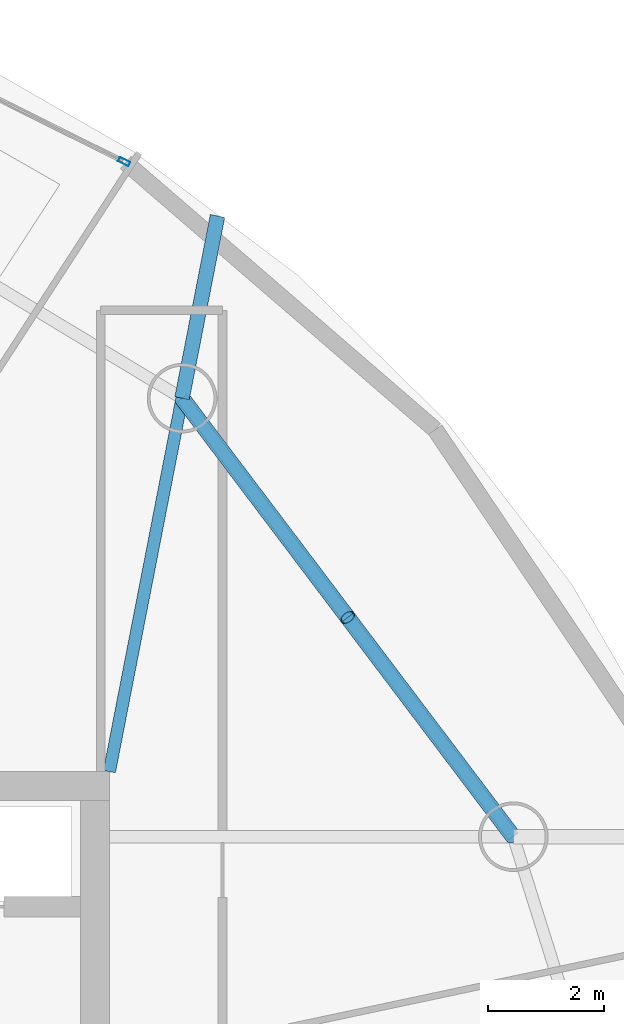
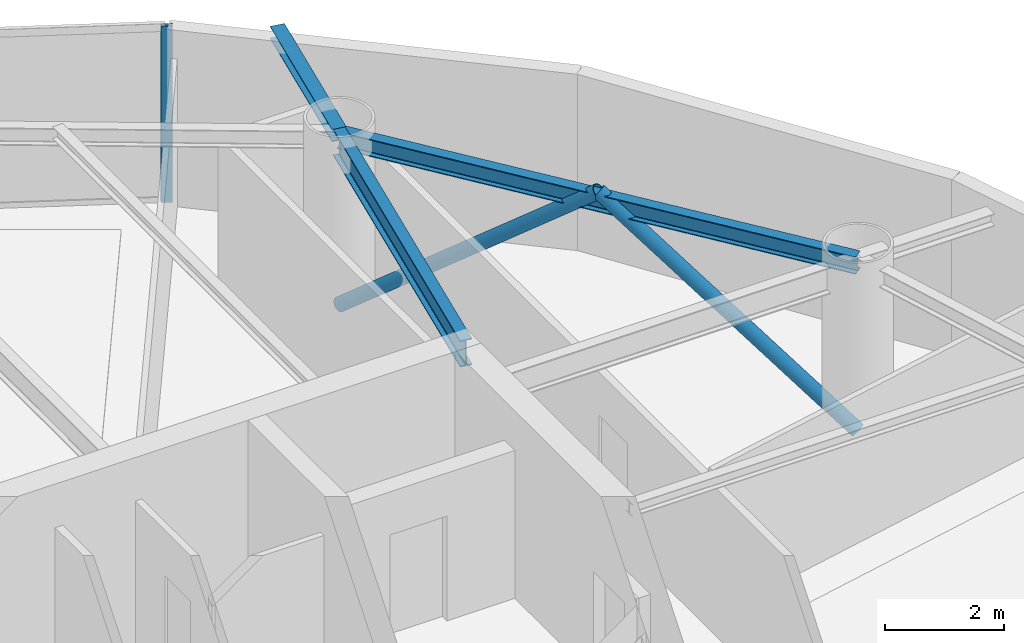
# One storey, part 14 of 22: 3 beams, 3 members, 1 element without a shape of its own.
"""IFC4 building model written with IfcOpenShell, lengths in metres."""

from ifc_helpers import new_model, si_unit, direction, frame, origin, origin_2d, place, context, subcontext, project, spatial, hollow_rectangle, hollow_circle, i_section, extrude, material, layer, layer_set, material_profile, profile_set, type_object, element, aggregate, save


model = new_model("IFC4")

# Units and contexts
model_context = context("Model", 3, precision=1e-05, world=origin(), true_north=direction((0.0, 1.0)))
body_context = subcontext(model_context, "Body", "Model", "MODEL_VIEW")
ifc_project = project(units=[si_unit("LENGTHUNIT", "METRE"), si_unit("AREAUNIT", "SQUARE_METRE"), si_unit("VOLUMEUNIT", "CUBIC_METRE"), si_unit("PLANEANGLEUNIT", "RADIAN"), si_unit("MASSUNIT", "GRAM", prefix="KILO")], contexts=[model_context])

# Site, building, storey
site_placement = place(None, origin())
site = spatial("IfcSite", under=ifc_project, at=site_placement, CompositionType="ELEMENT")
building_placement = place(site_placement, origin())
building = spatial("IfcBuilding", under=site, at=building_placement, Name="Bramvorn Convention Spire", CompositionType="ELEMENT")
storey_placement = place(building_placement, frame((0.0, 0.0, 225.10009765625)))
storey = spatial("IfcBuildingStorey", under=building, at=storey_placement, Name="L57", CompositionType="ELEMENT", Elevation=225.10009765625)

# Beams
ifc_material_1 = material(Name="Steel CSA G40.21 Grade 350 (350W)", Category="steel")
ifc_material_profile_1 = material_profile(ifc_material_1, i_section(OverallWidth=0.25390625, OverallDepth=0.2529296875, WebThickness=0.008544921875, FlangeThickness=0.01416015625, FilletRadius=0.011962890625, at=origin_2d()))
ifc_profile_set_1 = profile_set([ifc_material_profile_1], Name="Steel CSA G40.21 Grade 350 (350W) - W250X73")
beam_type_1 = type_object("IfcBeamType", Name="BM-W250X73", PredefinedType="BEAM", material=ifc_profile_set_1)
beam_1_placement = place(storey_placement, frame((50.501953125, 39.885009765625, 3.493408203125), z_axis=(0.190977895588, 0.981594337492, 0.0), x_axis=(-0.981594337492, 0.190977895588, 0.0)))
element("IfcBeam", 1, at=beam_1_placement, inside=storey, type_object=beam_type_1, Name="L57 slab-edge cantilever tip beam MC05", PredefinedType="BEAM", context=body_context, shape_type="SweptSolid", body=[
    extrude(i_section(OverallWidth=0.25390625, OverallDepth=0.2529296875, WebThickness=0.008544921875, FlangeThickness=0.01416015625, FilletRadius=0.011962890625, at=origin_2d()), origin(), (0.0, 0.0, 1.0), 3.19970703125),
])
ifc_material_profile_2 = material_profile(ifc_material_1, i_section(OverallWidth=0.205078125, OverallDepth=0.35400390625, WebThickness=0.009521484375, FlangeThickness=0.016845703125, FilletRadius=0.014892578125, at=origin_2d()))
ifc_profile_set_2 = profile_set([ifc_material_profile_2], Name="Steel CSA G40.21 Grade 350 (350W) - W360X79")
beam_type_2 = type_object("IfcBeamType", Name="BM-W360X79", PredefinedType="JOIST", material=ifc_profile_set_2)
beam_2_placement = place(storey_placement, frame((56.21044921875, 32.327392578125, 3.44287109375), z_axis=(-0.602718581414, 0.797953827999, 0.0), x_axis=(-0.797953827999, -0.602718581414, 0.0)))
element("IfcBeam", 2, at=beam_2_placement, inside=storey, type_object=beam_type_2, Name="L57 mega-column ring beam 04", PredefinedType="JOIST", context=body_context, shape_type="SweptSolid", body=[
    extrude(i_section(OverallWidth=0.205078125, OverallDepth=0.35400390625, WebThickness=0.009521484375, FlangeThickness=0.016845703125, FilletRadius=0.014892578125, at=origin_2d()), origin(), (0.0, 0.0, 1.0), 9.47119140625),
])
ifc_material_profile_3 = material_profile(ifc_material_1, i_section(OverallWidth=0.2119140625, OverallDepth=0.5439453125, WebThickness=0.01318359375, FlangeThickness=0.021240234375, FilletRadius=0.01904296875, at=origin_2d()))
ifc_profile_set_3 = profile_set([ifc_material_profile_3], Name="Steel CSA G40.21 Grade 350 (350W) - W530X123")
beam_type_3 = type_object("IfcBeamType", Name="BM-W530X123", PredefinedType="BEAM", material=ifc_profile_set_3)
beam_3_placement = place(storey_placement, frame((49.25, 33.449951171875, 3.347900390625), z_axis=(0.190971329886, 0.981595614885, 0.0), x_axis=(-0.981595614885, 0.190971329886, 0.0)))
element("IfcBeam", 3, at=beam_3_placement, inside=storey, type_object=beam_type_3, Name="L57 radial floor girder MC05", PredefinedType="BEAM", context=body_context, shape_type="SweptSolid", body=[
    extrude(i_section(OverallWidth=0.2119140625, OverallDepth=0.5439453125, WebThickness=0.01318359375, FlangeThickness=0.021240234375, FilletRadius=0.01904296875, at=origin_2d()), origin(), (0.0, 0.0, 1.0), 6.5556640625),
])

# Curtain wall, member
ifc_material_2 = material(Name="Anodised Bronze Unitised Curtain Wall", Category="aluminium")
ifc_layer = layer(ifc_material_2, 0.179931640625)
ifc_layer_set = layer_set([ifc_layer], Name="Anodised Bronze Unitised Curtain Wall - CW-OFF-FRIT")
curtain_wall_type = type_object("IfcCurtainWallType", Name="CW-OFF-FRIT", PredefinedType="USERDEFINED", material=ifc_layer_set)
curtain_wall_placement = place(storey_placement, origin())
curtain_wall = element("IfcCurtainWall", 4, at=curtain_wall_placement, inside=storey, type_object=curtain_wall_type, Name="L57 fritted glass curtain wall 08", ObjectType="UNITISED CURTAIN WALL", PredefinedType="USERDEFINED")
ifc_material_3 = material(Name="Anodised Bronze Aluminium 6063-T6", Category="aluminium")
ifc_material_profile_4 = material_profile(ifc_material_3, hollow_rectangle(XDim=0.080078125, YDim=0.199951171875, WallThickness=0.00390625, InnerFilletRadius=0.0009765625, OuterFilletRadius=0.00390625, at=origin_2d()))
ifc_profile_set_4 = profile_set([ifc_material_profile_4], Name="Anodised Bronze Aluminium 6063-T6 - CWM80X200")
member_type_1 = type_object("IfcMemberType", Name="CW-MUL-180", PredefinedType="MULLION", material=ifc_profile_set_4)
member_placement = place(storey_placement, frame((49.50390625, 43.960205078125, 0.0), z_axis=(0.0, 0.0, 1.0), x_axis=(0.445559865686, 0.895252146654, 0.0)))
member = element("IfcMember", 5, at=member_placement, type_object=member_type_1, Name="CW3 mullion 2", PredefinedType="MULLION", context=body_context, shape_type="SweptSolid", body=[
    extrude(hollow_rectangle(XDim=0.080078125, YDim=0.199951171875, WallThickness=0.00390625, InnerFilletRadius=0.0009765625, OuterFilletRadius=0.00390625, at=origin_2d()), origin(), (0.0, 0.0, 1.0), 3.619873046875),
])
aggregate(curtain_wall, [member])

# Members
ifc_material_profile_5 = material_profile(ifc_material_1, hollow_circle(Radius=0.136474609375, WallThickness=0.0126953125, at=origin_2d()))
ifc_profile_set_5 = profile_set([ifc_material_profile_5], Name="Steel CSA G40.21 Grade 350 (350W) - CHS273X13")
member_type_2 = type_object("IfcMemberType", Name="MBR-CHS273X13", PredefinedType="BRACE", material=ifc_profile_set_5)
for number, where, z_axis, x_axis, name in (
    (6, (56.21044921875, 32.327392578125, 0.0), (-0.478846711924, 0.633956839206, 0.607292806235), (-0.797953827999, -0.602718581414, 0.0), "L57 perimeter Gothic lancet brace 4A"),
    (7, (50.501953125, 39.885009765625, 0.0), (0.478846711924, -0.633956839206, 0.607292806235), (0.797953827999, 0.602718581414, 0.0), "L57 perimeter Gothic lancet brace 4B"),
):
    element("IfcMember", number, at=place(storey_placement, frame(where, z_axis=z_axis, x_axis=x_axis)), inside=storey, type_object=member_type_2, Name=name, PredefinedType="BRACE", context=body_context, shape_type="SweptSolid", body=[
        extrude(hollow_circle(Radius=0.136474609375, WallThickness=0.0126953125, at=origin_2d()), origin(), (0.0, 0.0, 1.0), 5.960693359375),
    ])

save(model, "model.ifc")
